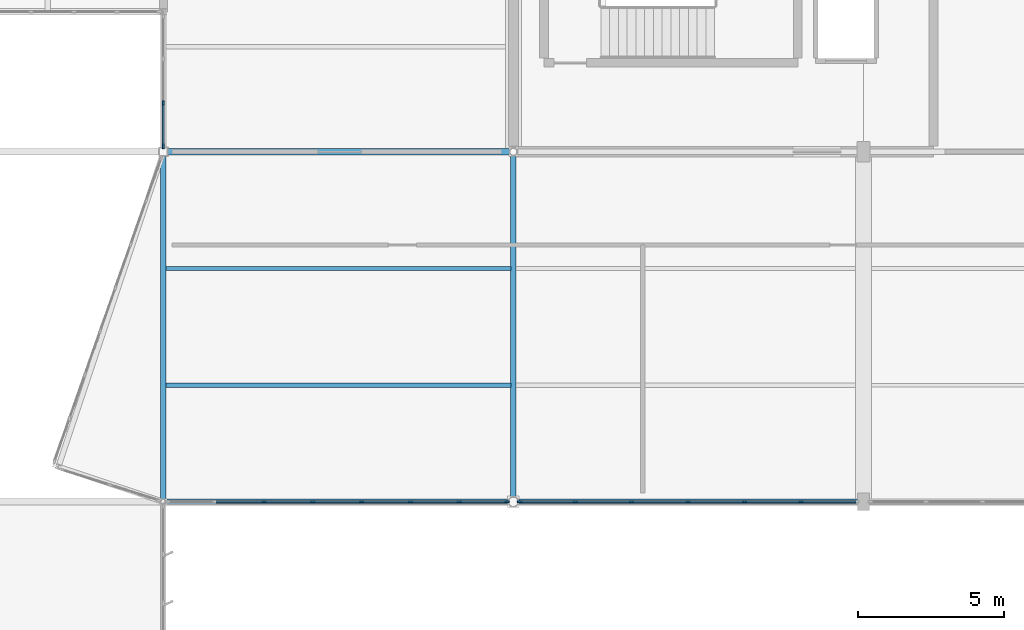
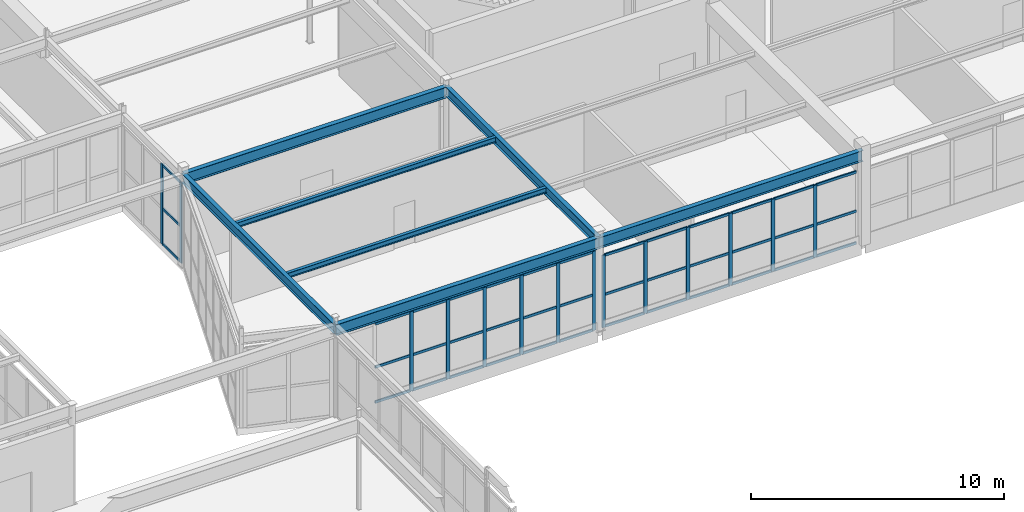
# One storey, part 101 of 186: 53 members, 7 beams, 3 elements without a shape of their own.
"""IFC4 building model written with IfcOpenShell, lengths in metres."""

from ifc_helpers import new_model, si_unit, direction, frame, origin, origin_2d, place, context, subcontext, project, spatial, rectangle, i_section, extrude, material, layer, layer_set, material_profile, profile_set, type_object, element, aggregate, save


model = new_model("IFC4")

# Units and contexts
model_context = context("Model", 3, precision=1e-05, world=origin(), true_north=direction((0.0, 1.0)))
body_context = subcontext(model_context, "Body", "Model", "MODEL_VIEW")
ifc_project = project(units=[si_unit("LENGTHUNIT", "METRE"), si_unit("AREAUNIT", "SQUARE_METRE"), si_unit("VOLUMEUNIT", "CUBIC_METRE"), si_unit("PLANEANGLEUNIT", "RADIAN"), si_unit("MASSUNIT", "GRAM", prefix="KILO")], contexts=[model_context])

# Site, building, storey
site_placement = place(None, origin())
site = spatial("IfcSite", under=ifc_project, at=site_placement, CompositionType="ELEMENT")
building_placement = place(site_placement, origin())
building = spatial("IfcBuilding", under=site, at=building_placement, Name="Tarnwether General Hospital", CompositionType="ELEMENT")
storey_placement = place(building_placement, frame((0.0, 0.0, 9.60009765625)))
storey = spatial("IfcBuildingStorey", under=building, at=storey_placement, Name="L02", CompositionType="ELEMENT", Elevation=9.60009765625)

# Beams
ifc_material_1 = material(Name="Steel Grade 350 (350 MPa)", Category="steel")
ifc_material_profile_1 = material_profile(ifc_material_1, i_section(OverallWidth=0.208984375, OverallDepth=0.532958984375, WebThickness=0.01025390625, FlangeThickness=0.015625, at=origin_2d()), Name="530UB92.4")
ifc_profile_set_1 = profile_set([ifc_material_profile_1], Name="Steel Grade 350 (350 MPa)")
beam_type_1 = type_object("IfcBeamType", Name="BM-G06", PredefinedType="BEAM", material=ifc_profile_set_1)
beam_1_placement = place(storey_placement, frame((144.0, 81.60009765625, 4.178466796875), z_axis=(1.0, 0.0, 0.0), x_axis=(0.0, 1.0, 0.0)))
element("IfcBeam", 1, at=beam_1_placement, inside=storey, type_object=beam_type_1, Name="Primary Girder BMG-L02-14400_8160-15600_8160-1579", PredefinedType="BEAM", context=body_context, shape_type="SweptSolid", body=[
    extrude(i_section(OverallWidth=0.208984375, OverallDepth=0.532958984375, WebThickness=0.01025390625, FlangeThickness=0.015625, at=origin_2d()), origin(), (0.0, 0.0, 1.0), 12.0),
])
ifc_material_2 = material(Name="Steel Grade 350 (350 MPa)", Category="steel")
ifc_material_profile_2 = material_profile(ifc_material_2, i_section(OverallWidth=0.208984375, OverallDepth=0.528076171875, WebThickness=0.009521484375, FlangeThickness=0.01318359375, at=origin_2d()), Name="530UB82.0")
ifc_profile_set_2 = profile_set([ifc_material_profile_2], Name="Steel Grade 350 (350 MPa)")
beam_type_2 = type_object("IfcBeamType", Name="BM-G07", PredefinedType="BEAM", material=ifc_profile_set_2)
for number, where, z_axis, x_axis, name in (
    (2, (144.0, 93.60009765625, 4.180908203125), (1.0, 0.0, 0.0), (0.0, 1.0, 0.0), "Primary Girder BMG-L02-14400_9360-15600_9360-1581"),
    (3, (156.0, 81.60009765625, 4.180908203125), (1.0, 0.0, 0.0), (0.0, 1.0, 0.0), "Primary Girder BMG-L02-15600_8160-16800_8160-1597"),
):
    element("IfcBeam", number, at=place(storey_placement, frame(where, z_axis=z_axis, x_axis=x_axis)), inside=storey, type_object=beam_type_2, Name=name, PredefinedType="BEAM", context=body_context, shape_type="SweptSolid", body=[
        extrude(i_section(OverallWidth=0.208984375, OverallDepth=0.528076171875, WebThickness=0.009521484375, FlangeThickness=0.01318359375, at=origin_2d()), origin(), (0.0, 0.0, 1.0), 12.0),
    ])
ifc_material_3 = material(Name="Steel Grade 350 (350 MPa)", Category="steel")
ifc_material_profile_3 = material_profile(ifc_material_3, i_section(OverallWidth=0.18994140625, OverallDepth=0.45703125, WebThickness=0.009033203125, FlangeThickness=0.014404296875, at=origin_2d()), Name="460UB74.6")
ifc_profile_set_3 = profile_set([ifc_material_profile_3], Name="Steel Grade 350 (350 MPa)")
beam_type_3 = type_object("IfcBeamType", Name="BM-G09", PredefinedType="BEAM", material=ifc_profile_set_3)
beam_2_placement = place(storey_placement, frame((144.0, 81.60009765625, 4.21630859375), z_axis=(0.0, 1.0, 0.0), x_axis=(-1.0, 0.0, 0.0)))
element("IfcBeam", 4, at=beam_2_placement, inside=storey, type_object=beam_type_3, Name="Primary Girder BMG-L02-14400_8160-14400_9360-1580", PredefinedType="BEAM", context=body_context, shape_type="SweptSolid", body=[
    extrude(i_section(OverallWidth=0.18994140625, OverallDepth=0.45703125, WebThickness=0.009033203125, FlangeThickness=0.014404296875, at=origin_2d()), origin(), (0.0, 0.0, 1.0), 12.0),
])
ifc_material_4 = material(Name="Steel Grade 350 (350 MPa)", Category="steel")
ifc_material_profile_4 = material_profile(ifc_material_4, i_section(OverallWidth=0.18994140625, OverallDepth=0.4541015625, WebThickness=0.008544921875, FlangeThickness=0.0126953125, at=origin_2d()), Name="460UB67.1")
ifc_profile_set_4 = profile_set([ifc_material_profile_4], Name="Steel Grade 350 (350 MPa)")
beam_type_4 = type_object("IfcBeamType", Name="BM-G10", PredefinedType="BEAM", material=ifc_profile_set_4)
beam_3_placement = place(storey_placement, frame((156.0, 81.60009765625, 4.218017578125), z_axis=(0.0, 1.0, 0.0), x_axis=(-1.0, 0.0, 0.0)))
element("IfcBeam", 5, at=beam_3_placement, inside=storey, type_object=beam_type_4, Name="Primary Girder BMG-L02-15600_8160-15600_9360-1598", PredefinedType="BEAM", context=body_context, shape_type="SweptSolid", body=[
    extrude(i_section(OverallWidth=0.18994140625, OverallDepth=0.4541015625, WebThickness=0.008544921875, FlangeThickness=0.0126953125, at=origin_2d()), origin(), (0.0, 0.0, 1.0), 12.0),
])
ifc_material_5 = material(Name="Steel Grade 350 (350 MPa)", Category="steel")
ifc_material_profile_5 = material_profile(ifc_material_5, i_section(OverallWidth=0.14599609375, OverallDepth=0.256103515625, WebThickness=0.00634765625, FlangeThickness=0.010986328125, at=origin_2d()), Name="250UB37.3")
ifc_profile_set_5 = profile_set([ifc_material_profile_5], Name="Steel Grade 350 (350 MPa)")
beam_type_5 = type_object("IfcBeamType", Name="BM-J09", PredefinedType="JOIST", material=ifc_profile_set_5)
beam_4_placement = place(storey_placement, frame((144.089111328125, 85.60009765625, 4.31689453125), z_axis=(1.0, 0.0, 0.0), x_axis=(0.0, 1.0, 0.0)))
element("IfcBeam", 6, at=beam_4_placement, inside=storey, type_object=beam_type_5, Name="Composite Floor Joist BMG-L02-14409_8560-15591_8560-1714", PredefinedType="JOIST", context=body_context, shape_type="SweptSolid", body=[
    extrude(i_section(OverallWidth=0.14599609375, OverallDepth=0.256103515625, WebThickness=0.00634765625, FlangeThickness=0.010986328125, at=origin_2d()), origin(), (0.0, 0.0, 1.0), 11.82177734375),
])
ifc_material_6 = material(Name="Steel Grade 350 (350 MPa)", Category="steel")
ifc_material_profile_6 = material_profile(ifc_material_6, i_section(OverallWidth=0.14599609375, OverallDepth=0.251953125, WebThickness=0.006103515625, FlangeThickness=0.008544921875, at=origin_2d()), Name="250UB31.4")
ifc_profile_set_6 = profile_set([ifc_material_profile_6], Name="Steel Grade 350 (350 MPa)")
beam_type_6 = type_object("IfcBeamType", Name="BM-J10", PredefinedType="JOIST", material=ifc_profile_set_6)
beam_5_placement = place(storey_placement, frame((144.089111328125, 89.60009765625, 4.31884765625), z_axis=(1.0, 0.0, 0.0), x_axis=(0.0, 1.0, 0.0)))
element("IfcBeam", 7, at=beam_5_placement, inside=storey, type_object=beam_type_6, Name="Composite Floor Joist BMG-L02-14409_8960-15591_8960-1715", PredefinedType="JOIST", context=body_context, shape_type="SweptSolid", body=[
    extrude(i_section(OverallWidth=0.14599609375, OverallDepth=0.251953125, WebThickness=0.006103515625, FlangeThickness=0.008544921875, at=origin_2d()), origin(), (0.0, 0.0, 1.0), 11.82177734375),
])

# Curtain wall, members
ifc_material_7 = material(Name="Anodised aluminium", Category="aluminium")
ifc_layer_1 = layer(ifc_material_7, 0.159912109375)
ifc_layer_set_1 = layer_set([ifc_layer_1], Name="Anodised aluminium")
curtain_wall_type_1 = type_object("IfcCurtainWallType", Name="CW-15", PredefinedType="NOTDEFINED", material=ifc_layer_set_1)
curtain_wall_1_placement = place(storey_placement, origin())
curtain_wall_1 = element("IfcCurtainWall", 8, at=curtain_wall_1_placement, inside=storey, type_object=curtain_wall_type_1, Name="Curtain Wall CWG-L02-1440_938-0447", PredefinedType="NOTDEFINED")
ifc_material_8 = material(Name="Anodised aluminium", Category="aluminium")
ifc_material_profile_7 = material_profile(ifc_material_8, rectangle(XDim=0.06005859375, YDim=0.159912109375, at=origin_2d()), Name="ALU-MUL-60x160")
ifc_profile_set_7 = profile_set([ifc_material_profile_7], Name="Anodised aluminium")
member_type_1 = type_object("IfcMemberType", Name="CW-ML1", PredefinedType="MULLION", material=ifc_profile_set_7)
member_1_placement = place(storey_placement, frame((144.0, 93.7880859375, 0.0), z_axis=(0.0, 0.0, 1.0), x_axis=(-1.0, 0.0, 0.0)))
member_1 = element("IfcMember", 9, at=member_1_placement, type_object=member_type_1, Name="CW-15 mullion 1", PredefinedType="MULLION", context=body_context, shape_type="SweptSolid", body=[
    extrude(rectangle(XDim=0.06005859375, YDim=0.159912109375, at=origin_2d()), origin(), (0.0, 0.0, 1.0), 3.86279296875),
])
member_2_placement = place(storey_placement, frame((144.0, 95.267578125, 0.0), z_axis=(0.0, 0.0, 1.0), x_axis=(-1.0, 0.0, 0.0)))
member_2 = element("IfcMember", 10, at=member_2_placement, type_object=member_type_1, Name="CW-15 mullion 2", PredefinedType="MULLION", context=body_context, shape_type="SweptSolid", body=[
    extrude(rectangle(XDim=0.06005859375, YDim=0.159912109375, at=origin_2d()), origin(), (0.0, 0.0, 1.0), 3.86279296875),
])

ifc_material_9 = material(Name="Anodised aluminium", Category="aluminium")
ifc_layer_2 = layer(ifc_material_9, 0.159912109375)
ifc_layer_set_2 = layer_set([ifc_layer_2], Name="Anodised aluminium")
curtain_wall_type_2 = type_object("IfcCurtainWallType", Name="CW-17", PredefinedType="NOTDEFINED", material=ifc_layer_set_2)
curtain_wall_2_placement = place(storey_placement, origin())
curtain_wall_2 = element("IfcCurtainWall", 11, at=curtain_wall_2_placement, inside=storey, type_object=curtain_wall_type_2, Name="Curtain Wall CWG-L02-1678_816-0468", PredefinedType="NOTDEFINED")
member_3_placement = place(storey_placement, frame((165.857666015625, 81.60009765625, 0.0), z_axis=(0.0, 0.0, 1.0), x_axis=(0.0, -1.0, 0.0)))
member_3 = element("IfcMember", 12, at=member_3_placement, type_object=member_type_1, Name="CW-17 mullion 2", PredefinedType="MULLION", context=body_context, shape_type="SweptSolid", body=[
    extrude(rectangle(XDim=0.06005859375, YDim=0.159912109375, at=origin_2d()), origin(), (0.0, 0.0, 1.0), 3.47998046875),
])
member_4_placement = place(storey_placement, frame((163.92333984375, 81.60009765625, 0.0), z_axis=(0.0, 0.0, 1.0), x_axis=(0.0, -1.0, 0.0)))
member_4 = element("IfcMember", 13, at=member_4_placement, type_object=member_type_1, Name="CW-17 mullion 3", PredefinedType="MULLION", context=body_context, shape_type="SweptSolid", body=[
    extrude(rectangle(XDim=0.06005859375, YDim=0.159912109375, at=origin_2d()), origin(), (0.0, 0.0, 1.0), 3.47998046875),
])
member_5_placement = place(storey_placement, frame((161.989013671875, 81.60009765625, 0.0), z_axis=(0.0, 0.0, 1.0), x_axis=(0.0, -1.0, 0.0)))
member_5 = element("IfcMember", 14, at=member_5_placement, type_object=member_type_1, Name="CW-17 mullion 4", PredefinedType="MULLION", context=body_context, shape_type="SweptSolid", body=[
    extrude(rectangle(XDim=0.06005859375, YDim=0.159912109375, at=origin_2d()), origin(), (0.0, 0.0, 1.0), 3.47998046875),
])
member_6_placement = place(storey_placement, frame((160.0546875, 81.60009765625, 0.0), z_axis=(0.0, 0.0, 1.0), x_axis=(0.0, -1.0, 0.0)))
member_6 = element("IfcMember", 15, at=member_6_placement, type_object=member_type_1, Name="CW-17 mullion 5", PredefinedType="MULLION", context=body_context, shape_type="SweptSolid", body=[
    extrude(rectangle(XDim=0.06005859375, YDim=0.159912109375, at=origin_2d()), origin(), (0.0, 0.0, 1.0), 3.47998046875),
])
member_7_placement = place(storey_placement, frame((158.120361328125, 81.60009765625, 0.0), z_axis=(0.0, 0.0, 1.0), x_axis=(0.0, -1.0, 0.0)))
member_7 = element("IfcMember", 16, at=member_7_placement, type_object=member_type_1, Name="CW-17 mullion 6", PredefinedType="MULLION", context=body_context, shape_type="SweptSolid", body=[
    extrude(rectangle(XDim=0.06005859375, YDim=0.159912109375, at=origin_2d()), origin(), (0.0, 0.0, 1.0), 3.47998046875),
])
member_8_placement = place(storey_placement, frame((156.216064453125, 81.60009765625, 0.0), z_axis=(0.0, 0.0, 1.0), x_axis=(0.0, -1.0, 0.0)))
member_8 = element("IfcMember", 17, at=member_8_placement, type_object=member_type_1, Name="CW-17 mullion 7", PredefinedType="MULLION", context=body_context, shape_type="SweptSolid", body=[
    extrude(rectangle(XDim=0.06005859375, YDim=0.159912109375, at=origin_2d()), origin(), (0.0, 0.0, 1.0), 3.47998046875),
])

curtain_wall_3_placement = place(storey_placement, origin())
curtain_wall_3 = element("IfcCurtainWall", 18, at=curtain_wall_3_placement, inside=storey, type_object=curtain_wall_type_2, Name="Curtain Wall CWG-L02-1558_816-0469", PredefinedType="NOTDEFINED")
member_9_placement = place(storey_placement, frame((155.783935546875, 81.60009765625, 0.0), z_axis=(0.0, 0.0, 1.0), x_axis=(0.0, -1.0, 0.0)))
member_9 = element("IfcMember", 19, at=member_9_placement, type_object=member_type_1, Name="CW-17 mullion 1", PredefinedType="MULLION", context=body_context, shape_type="SweptSolid", body=[
    extrude(rectangle(XDim=0.06005859375, YDim=0.159912109375, at=origin_2d()), origin(), (0.0, 0.0, 1.0), 3.827880859375),
])
member_10_placement = place(storey_placement, frame((154.141357421875, 81.60009765625, 0.0), z_axis=(0.0, 0.0, 1.0), x_axis=(0.0, -1.0, 0.0)))
member_10 = element("IfcMember", 20, at=member_10_placement, type_object=member_type_1, Name="CW-17 mullion 2", PredefinedType="MULLION", context=body_context, shape_type="SweptSolid", body=[
    extrude(rectangle(XDim=0.06005859375, YDim=0.159912109375, at=origin_2d()), origin(), (0.0, 0.0, 1.0), 3.827880859375),
])
member_11_placement = place(storey_placement, frame((152.468505859375, 81.60009765625, 0.0), z_axis=(0.0, 0.0, 1.0), x_axis=(0.0, -1.0, 0.0)))
member_11 = element("IfcMember", 21, at=member_11_placement, type_object=member_type_1, Name="CW-17 mullion 3", PredefinedType="MULLION", context=body_context, shape_type="SweptSolid", body=[
    extrude(rectangle(XDim=0.06005859375, YDim=0.159912109375, at=origin_2d()), origin(), (0.0, 0.0, 1.0), 3.827880859375),
])
member_12_placement = place(storey_placement, frame((150.7958984375, 81.60009765625, 0.0), z_axis=(0.0, 0.0, 1.0), x_axis=(0.0, -1.0, 0.0)))
member_12 = element("IfcMember", 22, at=member_12_placement, type_object=member_type_1, Name="CW-17 mullion 4", PredefinedType="MULLION", context=body_context, shape_type="SweptSolid", body=[
    extrude(rectangle(XDim=0.06005859375, YDim=0.159912109375, at=origin_2d()), origin(), (0.0, 0.0, 1.0), 3.827880859375),
])
member_13_placement = place(storey_placement, frame((149.123046875, 81.60009765625, 0.0), z_axis=(0.0, 0.0, 1.0), x_axis=(0.0, -1.0, 0.0)))
member_13 = element("IfcMember", 23, at=member_13_placement, type_object=member_type_1, Name="CW-17 mullion 5", PredefinedType="MULLION", context=body_context, shape_type="SweptSolid", body=[
    extrude(rectangle(XDim=0.06005859375, YDim=0.159912109375, at=origin_2d()), origin(), (0.0, 0.0, 1.0), 3.827880859375),
])
member_14_placement = place(storey_placement, frame((147.450439453125, 81.60009765625, 0.0), z_axis=(0.0, 0.0, 1.0), x_axis=(0.0, -1.0, 0.0)))
member_14 = element("IfcMember", 24, at=member_14_placement, type_object=member_type_1, Name="CW-17 mullion 6", PredefinedType="MULLION", context=body_context, shape_type="SweptSolid", body=[
    extrude(rectangle(XDim=0.06005859375, YDim=0.159912109375, at=origin_2d()), origin(), (0.0, 0.0, 1.0), 3.827880859375),
])

# Member
ifc_material_10 = material(Name="Anodised aluminium", Category="aluminium")
ifc_material_profile_8 = material_profile(ifc_material_10, rectangle(XDim=0.06005859375, YDim=0.1201171875, at=origin_2d()), Name="ALU-TRN-60x120")
ifc_profile_set_8 = profile_set([ifc_material_profile_8], Name="Anodised aluminium")
member_type_2 = type_object("IfcMemberType", Name="CW-TR1", PredefinedType="USERDEFINED", material=ifc_profile_set_8)
member_15_placement = place(storey_placement, frame((144.0, 93.818115234375, 0.02978515625), z_axis=(0.0, 1.0, 0.0), x_axis=(-1.0, 0.0, 0.0)))
member_15 = element("IfcMember", 25, at=member_15_placement, type_object=member_type_2, Name="CW-15 transom 1.1", ObjectType="TRANSOM", PredefinedType="USERDEFINED", context=body_context, shape_type="SweptSolid", body=[
    extrude(rectangle(XDim=0.06005859375, YDim=0.1201171875, at=origin_2d()), origin(), (0.0, 0.0, 1.0), 1.41943359375),
])

member_16_placement = place(storey_placement, frame((144.0, 93.818115234375, 1.73828125), z_axis=(0.0, 1.0, 0.0), x_axis=(-1.0, 0.0, 0.0)))
member_16 = element("IfcMember", 26, at=member_16_placement, type_object=member_type_2, Name="CW-15 transom 1.2", ObjectType="TRANSOM", PredefinedType="USERDEFINED", context=body_context, shape_type="SweptSolid", body=[
    extrude(rectangle(XDim=0.06005859375, YDim=0.1201171875, at=origin_2d()), origin(), (0.0, 0.0, 1.0), 1.41943359375),
])

member_17_placement = place(storey_placement, frame((144.0, 93.818115234375, 3.8330078125), z_axis=(0.0, 1.0, 0.0), x_axis=(-1.0, 0.0, 0.0)))
member_17 = element("IfcMember", 27, at=member_17_placement, type_object=member_type_2, Name="CW-15 transom 1.3", ObjectType="TRANSOM", PredefinedType="USERDEFINED", context=body_context, shape_type="SweptSolid", body=[
    extrude(rectangle(XDim=0.06005859375, YDim=0.1201171875, at=origin_2d()), origin(), (0.0, 0.0, 1.0), 1.41943359375),
])

aggregate(curtain_wall_1, [member_1, member_2, member_15, member_16, member_17])

member_18_placement = place(storey_placement, frame((167.73193359375, 81.60009765625, 0.02978515625), z_axis=(-1.0, 0.0, 0.0), x_axis=(0.0, -1.0, 0.0)))
member_18 = element("IfcMember", 28, at=member_18_placement, type_object=member_type_2, Name="CW-17 transom 1.1", ObjectType="TRANSOM", PredefinedType="USERDEFINED", context=body_context, shape_type="SweptSolid", body=[
    extrude(rectangle(XDim=0.06005859375, YDim=0.1201171875, at=origin_2d()), origin(), (0.0, 0.0, 1.0), 1.84423828125),
])

member_19_placement = place(storey_placement, frame((167.73193359375, 81.60009765625, 1.56591796875), z_axis=(-1.0, 0.0, 0.0), x_axis=(0.0, -1.0, 0.0)))
member_19 = element("IfcMember", 29, at=member_19_placement, type_object=member_type_2, Name="CW-17 transom 1.2", ObjectType="TRANSOM", PredefinedType="USERDEFINED", context=body_context, shape_type="SweptSolid", body=[
    extrude(rectangle(XDim=0.06005859375, YDim=0.1201171875, at=origin_2d()), origin(), (0.0, 0.0, 1.0), 1.84423828125),
])

member_20_placement = place(storey_placement, frame((167.73193359375, 81.60009765625, 3.449951171875), z_axis=(-1.0, 0.0, 0.0), x_axis=(0.0, -1.0, 0.0)))
member_20 = element("IfcMember", 30, at=member_20_placement, type_object=member_type_2, Name="CW-17 transom 1.3", ObjectType="TRANSOM", PredefinedType="USERDEFINED", context=body_context, shape_type="SweptSolid", body=[
    extrude(rectangle(XDim=0.06005859375, YDim=0.1201171875, at=origin_2d()), origin(), (0.0, 0.0, 1.0), 1.84423828125),
])

member_21_placement = place(storey_placement, frame((165.82763671875, 81.60009765625, 0.02978515625), z_axis=(-1.0, 0.0, 0.0), x_axis=(0.0, -1.0, 0.0)))
member_21 = element("IfcMember", 31, at=member_21_placement, type_object=member_type_2, Name="CW-17 transom 2.1", ObjectType="TRANSOM", PredefinedType="USERDEFINED", context=body_context, shape_type="SweptSolid", body=[
    extrude(rectangle(XDim=0.06005859375, YDim=0.1201171875, at=origin_2d()), origin(), (0.0, 0.0, 1.0), 1.874267578125),
])

member_22_placement = place(storey_placement, frame((165.82763671875, 81.60009765625, 1.56591796875), z_axis=(-1.0, 0.0, 0.0), x_axis=(0.0, -1.0, 0.0)))
member_22 = element("IfcMember", 32, at=member_22_placement, type_object=member_type_2, Name="CW-17 transom 2.2", ObjectType="TRANSOM", PredefinedType="USERDEFINED", context=body_context, shape_type="SweptSolid", body=[
    extrude(rectangle(XDim=0.06005859375, YDim=0.1201171875, at=origin_2d()), origin(), (0.0, 0.0, 1.0), 1.874267578125),
])

member_23_placement = place(storey_placement, frame((165.82763671875, 81.60009765625, 3.449951171875), z_axis=(-1.0, 0.0, 0.0), x_axis=(0.0, -1.0, 0.0)))
member_23 = element("IfcMember", 33, at=member_23_placement, type_object=member_type_2, Name="CW-17 transom 2.3", ObjectType="TRANSOM", PredefinedType="USERDEFINED", context=body_context, shape_type="SweptSolid", body=[
    extrude(rectangle(XDim=0.06005859375, YDim=0.1201171875, at=origin_2d()), origin(), (0.0, 0.0, 1.0), 1.874267578125),
])

member_24_placement = place(storey_placement, frame((163.893310546875, 81.60009765625, 0.02978515625), z_axis=(-1.0, 0.0, 0.0), x_axis=(0.0, -1.0, 0.0)))
member_24 = element("IfcMember", 34, at=member_24_placement, type_object=member_type_2, Name="CW-17 transom 3.1", ObjectType="TRANSOM", PredefinedType="USERDEFINED", context=body_context, shape_type="SweptSolid", body=[
    extrude(rectangle(XDim=0.06005859375, YDim=0.1201171875, at=origin_2d()), origin(), (0.0, 0.0, 1.0), 1.874267578125),
])

member_25_placement = place(storey_placement, frame((163.893310546875, 81.60009765625, 1.56591796875), z_axis=(-1.0, 0.0, 0.0), x_axis=(0.0, -1.0, 0.0)))
member_25 = element("IfcMember", 35, at=member_25_placement, type_object=member_type_2, Name="CW-17 transom 3.2", ObjectType="TRANSOM", PredefinedType="USERDEFINED", context=body_context, shape_type="SweptSolid", body=[
    extrude(rectangle(XDim=0.06005859375, YDim=0.1201171875, at=origin_2d()), origin(), (0.0, 0.0, 1.0), 1.874267578125),
])

member_26_placement = place(storey_placement, frame((163.893310546875, 81.60009765625, 3.449951171875), z_axis=(-1.0, 0.0, 0.0), x_axis=(0.0, -1.0, 0.0)))
member_26 = element("IfcMember", 36, at=member_26_placement, type_object=member_type_2, Name="CW-17 transom 3.3", ObjectType="TRANSOM", PredefinedType="USERDEFINED", context=body_context, shape_type="SweptSolid", body=[
    extrude(rectangle(XDim=0.06005859375, YDim=0.1201171875, at=origin_2d()), origin(), (0.0, 0.0, 1.0), 1.874267578125),
])

member_27_placement = place(storey_placement, frame((161.958984375, 81.60009765625, 0.02978515625), z_axis=(-1.0, 0.0, 0.0), x_axis=(0.0, -1.0, 0.0)))
member_27 = element("IfcMember", 37, at=member_27_placement, type_object=member_type_2, Name="CW-17 transom 4.1", ObjectType="TRANSOM", PredefinedType="USERDEFINED", context=body_context, shape_type="SweptSolid", body=[
    extrude(rectangle(XDim=0.06005859375, YDim=0.1201171875, at=origin_2d()), origin(), (0.0, 0.0, 1.0), 1.874267578125),
])

member_28_placement = place(storey_placement, frame((161.958984375, 81.60009765625, 1.56591796875), z_axis=(-1.0, 0.0, 0.0), x_axis=(0.0, -1.0, 0.0)))
member_28 = element("IfcMember", 38, at=member_28_placement, type_object=member_type_2, Name="CW-17 transom 4.2", ObjectType="TRANSOM", PredefinedType="USERDEFINED", context=body_context, shape_type="SweptSolid", body=[
    extrude(rectangle(XDim=0.06005859375, YDim=0.1201171875, at=origin_2d()), origin(), (0.0, 0.0, 1.0), 1.874267578125),
])

member_29_placement = place(storey_placement, frame((161.958984375, 81.60009765625, 3.449951171875), z_axis=(-1.0, 0.0, 0.0), x_axis=(0.0, -1.0, 0.0)))
member_29 = element("IfcMember", 39, at=member_29_placement, type_object=member_type_2, Name="CW-17 transom 4.3", ObjectType="TRANSOM", PredefinedType="USERDEFINED", context=body_context, shape_type="SweptSolid", body=[
    extrude(rectangle(XDim=0.06005859375, YDim=0.1201171875, at=origin_2d()), origin(), (0.0, 0.0, 1.0), 1.874267578125),
])

member_30_placement = place(storey_placement, frame((160.024658203125, 81.60009765625, 0.02978515625), z_axis=(-1.0, 0.0, 0.0), x_axis=(0.0, -1.0, 0.0)))
member_30 = element("IfcMember", 40, at=member_30_placement, type_object=member_type_2, Name="CW-17 transom 5.1", ObjectType="TRANSOM", PredefinedType="USERDEFINED", context=body_context, shape_type="SweptSolid", body=[
    extrude(rectangle(XDim=0.06005859375, YDim=0.1201171875, at=origin_2d()), origin(), (0.0, 0.0, 1.0), 1.874267578125),
])

member_31_placement = place(storey_placement, frame((160.024658203125, 81.60009765625, 1.56591796875), z_axis=(-1.0, 0.0, 0.0), x_axis=(0.0, -1.0, 0.0)))
member_31 = element("IfcMember", 41, at=member_31_placement, type_object=member_type_2, Name="CW-17 transom 5.2", ObjectType="TRANSOM", PredefinedType="USERDEFINED", context=body_context, shape_type="SweptSolid", body=[
    extrude(rectangle(XDim=0.06005859375, YDim=0.1201171875, at=origin_2d()), origin(), (0.0, 0.0, 1.0), 1.874267578125),
])

member_32_placement = place(storey_placement, frame((160.024658203125, 81.60009765625, 3.449951171875), z_axis=(-1.0, 0.0, 0.0), x_axis=(0.0, -1.0, 0.0)))
member_32 = element("IfcMember", 42, at=member_32_placement, type_object=member_type_2, Name="CW-17 transom 5.3", ObjectType="TRANSOM", PredefinedType="USERDEFINED", context=body_context, shape_type="SweptSolid", body=[
    extrude(rectangle(XDim=0.06005859375, YDim=0.1201171875, at=origin_2d()), origin(), (0.0, 0.0, 1.0), 1.874267578125),
])

member_33_placement = place(storey_placement, frame((158.09033203125, 81.60009765625, 0.02978515625), z_axis=(-1.0, 0.0, 0.0), x_axis=(0.0, -1.0, 0.0)))
member_33 = element("IfcMember", 43, at=member_33_placement, type_object=member_type_2, Name="CW-17 transom 6.1", ObjectType="TRANSOM", PredefinedType="USERDEFINED", context=body_context, shape_type="SweptSolid", body=[
    extrude(rectangle(XDim=0.06005859375, YDim=0.1201171875, at=origin_2d()), origin(), (0.0, 0.0, 1.0), 1.84423828125),
])

member_34_placement = place(storey_placement, frame((158.09033203125, 81.60009765625, 1.56591796875), z_axis=(-1.0, 0.0, 0.0), x_axis=(0.0, -1.0, 0.0)))
member_34 = element("IfcMember", 44, at=member_34_placement, type_object=member_type_2, Name="CW-17 transom 6.2", ObjectType="TRANSOM", PredefinedType="USERDEFINED", context=body_context, shape_type="SweptSolid", body=[
    extrude(rectangle(XDim=0.06005859375, YDim=0.1201171875, at=origin_2d()), origin(), (0.0, 0.0, 1.0), 1.84423828125),
])

member_35_placement = place(storey_placement, frame((158.09033203125, 81.60009765625, 3.449951171875), z_axis=(-1.0, 0.0, 0.0), x_axis=(0.0, -1.0, 0.0)))
member_35 = element("IfcMember", 45, at=member_35_placement, type_object=member_type_2, Name="CW-17 transom 6.3", ObjectType="TRANSOM", PredefinedType="USERDEFINED", context=body_context, shape_type="SweptSolid", body=[
    extrude(rectangle(XDim=0.06005859375, YDim=0.1201171875, at=origin_2d()), origin(), (0.0, 0.0, 1.0), 1.84423828125),
])

aggregate(curtain_wall_2, [member_3, member_4, member_5, member_6, member_7, member_8, member_18, member_19, member_20, member_21, member_22, member_23, member_24, member_25, member_26, member_27, member_28, member_29, member_30, member_31, member_32, member_33, member_34, member_35])

member_36_placement = place(storey_placement, frame((155.75390625, 81.60009765625, 0.02978515625), z_axis=(-1.0, 0.0, 0.0), x_axis=(0.0, -1.0, 0.0)))
member_36 = element("IfcMember", 46, at=member_36_placement, type_object=member_type_2, Name="CW-17 transom 1.1", ObjectType="TRANSOM", PredefinedType="USERDEFINED", context=body_context, shape_type="SweptSolid", body=[
    extrude(rectangle(XDim=0.06005859375, YDim=0.1201171875, at=origin_2d()), origin(), (0.0, 0.0, 1.0), 1.58251953125),
])

member_37_placement = place(storey_placement, frame((155.75390625, 81.60009765625, 1.722412109375), z_axis=(-1.0, 0.0, 0.0), x_axis=(0.0, -1.0, 0.0)))
member_37 = element("IfcMember", 47, at=member_37_placement, type_object=member_type_2, Name="CW-17 transom 1.2", ObjectType="TRANSOM", PredefinedType="USERDEFINED", context=body_context, shape_type="SweptSolid", body=[
    extrude(rectangle(XDim=0.06005859375, YDim=0.1201171875, at=origin_2d()), origin(), (0.0, 0.0, 1.0), 1.58251953125),
])

member_38_placement = place(storey_placement, frame((155.75390625, 81.60009765625, 3.7978515625), z_axis=(-1.0, 0.0, 0.0), x_axis=(0.0, -1.0, 0.0)))
member_38 = element("IfcMember", 48, at=member_38_placement, type_object=member_type_2, Name="CW-17 transom 1.3", ObjectType="TRANSOM", PredefinedType="USERDEFINED", context=body_context, shape_type="SweptSolid", body=[
    extrude(rectangle(XDim=0.06005859375, YDim=0.1201171875, at=origin_2d()), origin(), (0.0, 0.0, 1.0), 1.58251953125),
])

member_39_placement = place(storey_placement, frame((154.111328125, 81.60009765625, 0.02978515625), z_axis=(-1.0, 0.0, 0.0), x_axis=(0.0, -1.0, 0.0)))
member_39 = element("IfcMember", 49, at=member_39_placement, type_object=member_type_2, Name="CW-17 transom 2.1", ObjectType="TRANSOM", PredefinedType="USERDEFINED", context=body_context, shape_type="SweptSolid", body=[
    extrude(rectangle(XDim=0.06005859375, YDim=0.1201171875, at=origin_2d()), origin(), (0.0, 0.0, 1.0), 1.61279296875),
])

member_40_placement = place(storey_placement, frame((154.111328125, 81.60009765625, 1.722412109375), z_axis=(-1.0, 0.0, 0.0), x_axis=(0.0, -1.0, 0.0)))
member_40 = element("IfcMember", 50, at=member_40_placement, type_object=member_type_2, Name="CW-17 transom 2.2", ObjectType="TRANSOM", PredefinedType="USERDEFINED", context=body_context, shape_type="SweptSolid", body=[
    extrude(rectangle(XDim=0.06005859375, YDim=0.1201171875, at=origin_2d()), origin(), (0.0, 0.0, 1.0), 1.61279296875),
])

member_41_placement = place(storey_placement, frame((154.111328125, 81.60009765625, 3.7978515625), z_axis=(-1.0, 0.0, 0.0), x_axis=(0.0, -1.0, 0.0)))
member_41 = element("IfcMember", 51, at=member_41_placement, type_object=member_type_2, Name="CW-17 transom 2.3", ObjectType="TRANSOM", PredefinedType="USERDEFINED", context=body_context, shape_type="SweptSolid", body=[
    extrude(rectangle(XDim=0.06005859375, YDim=0.1201171875, at=origin_2d()), origin(), (0.0, 0.0, 1.0), 1.61279296875),
])

member_42_placement = place(storey_placement, frame((152.4384765625, 81.60009765625, 0.02978515625), z_axis=(-1.0, 0.0, 0.0), x_axis=(0.0, -1.0, 0.0)))
member_42 = element("IfcMember", 52, at=member_42_placement, type_object=member_type_2, Name="CW-17 transom 3.1", ObjectType="TRANSOM", PredefinedType="USERDEFINED", context=body_context, shape_type="SweptSolid", body=[
    extrude(rectangle(XDim=0.06005859375, YDim=0.1201171875, at=origin_2d()), origin(), (0.0, 0.0, 1.0), 1.612548828125),
])

member_43_placement = place(storey_placement, frame((152.4384765625, 81.60009765625, 1.722412109375), z_axis=(-1.0, 0.0, 0.0), x_axis=(0.0, -1.0, 0.0)))
member_43 = element("IfcMember", 53, at=member_43_placement, type_object=member_type_2, Name="CW-17 transom 3.2", ObjectType="TRANSOM", PredefinedType="USERDEFINED", context=body_context, shape_type="SweptSolid", body=[
    extrude(rectangle(XDim=0.06005859375, YDim=0.1201171875, at=origin_2d()), origin(), (0.0, 0.0, 1.0), 1.612548828125),
])

member_44_placement = place(storey_placement, frame((152.4384765625, 81.60009765625, 3.7978515625), z_axis=(-1.0, 0.0, 0.0), x_axis=(0.0, -1.0, 0.0)))
member_44 = element("IfcMember", 54, at=member_44_placement, type_object=member_type_2, Name="CW-17 transom 3.3", ObjectType="TRANSOM", PredefinedType="USERDEFINED", context=body_context, shape_type="SweptSolid", body=[
    extrude(rectangle(XDim=0.06005859375, YDim=0.1201171875, at=origin_2d()), origin(), (0.0, 0.0, 1.0), 1.612548828125),
])

member_45_placement = place(storey_placement, frame((150.765869140625, 81.60009765625, 0.02978515625), z_axis=(-1.0, 0.0, 0.0), x_axis=(0.0, -1.0, 0.0)))
member_45 = element("IfcMember", 55, at=member_45_placement, type_object=member_type_2, Name="CW-17 transom 4.1", ObjectType="TRANSOM", PredefinedType="USERDEFINED", context=body_context, shape_type="SweptSolid", body=[
    extrude(rectangle(XDim=0.06005859375, YDim=0.1201171875, at=origin_2d()), origin(), (0.0, 0.0, 1.0), 1.61279296875),
])

member_46_placement = place(storey_placement, frame((150.765869140625, 81.60009765625, 1.722412109375), z_axis=(-1.0, 0.0, 0.0), x_axis=(0.0, -1.0, 0.0)))
member_46 = element("IfcMember", 56, at=member_46_placement, type_object=member_type_2, Name="CW-17 transom 4.2", ObjectType="TRANSOM", PredefinedType="USERDEFINED", context=body_context, shape_type="SweptSolid", body=[
    extrude(rectangle(XDim=0.06005859375, YDim=0.1201171875, at=origin_2d()), origin(), (0.0, 0.0, 1.0), 1.61279296875),
])

member_47_placement = place(storey_placement, frame((150.765869140625, 81.60009765625, 3.7978515625), z_axis=(-1.0, 0.0, 0.0), x_axis=(0.0, -1.0, 0.0)))
member_47 = element("IfcMember", 57, at=member_47_placement, type_object=member_type_2, Name="CW-17 transom 4.3", ObjectType="TRANSOM", PredefinedType="USERDEFINED", context=body_context, shape_type="SweptSolid", body=[
    extrude(rectangle(XDim=0.06005859375, YDim=0.1201171875, at=origin_2d()), origin(), (0.0, 0.0, 1.0), 1.61279296875),
])

member_48_placement = place(storey_placement, frame((149.09326171875, 81.60009765625, 0.02978515625), z_axis=(-1.0, 0.0, 0.0), x_axis=(0.0, -1.0, 0.0)))
member_48 = element("IfcMember", 58, at=member_48_placement, type_object=member_type_2, Name="CW-17 transom 5.1", ObjectType="TRANSOM", PredefinedType="USERDEFINED", context=body_context, shape_type="SweptSolid", body=[
    extrude(rectangle(XDim=0.06005859375, YDim=0.1201171875, at=origin_2d()), origin(), (0.0, 0.0, 1.0), 1.61279296875),
])

member_49_placement = place(storey_placement, frame((149.09326171875, 81.60009765625, 1.722412109375), z_axis=(-1.0, 0.0, 0.0), x_axis=(0.0, -1.0, 0.0)))
member_49 = element("IfcMember", 59, at=member_49_placement, type_object=member_type_2, Name="CW-17 transom 5.2", ObjectType="TRANSOM", PredefinedType="USERDEFINED", context=body_context, shape_type="SweptSolid", body=[
    extrude(rectangle(XDim=0.06005859375, YDim=0.1201171875, at=origin_2d()), origin(), (0.0, 0.0, 1.0), 1.61279296875),
])

member_50_placement = place(storey_placement, frame((149.09326171875, 81.60009765625, 3.7978515625), z_axis=(-1.0, 0.0, 0.0), x_axis=(0.0, -1.0, 0.0)))
member_50 = element("IfcMember", 60, at=member_50_placement, type_object=member_type_2, Name="CW-17 transom 5.3", ObjectType="TRANSOM", PredefinedType="USERDEFINED", context=body_context, shape_type="SweptSolid", body=[
    extrude(rectangle(XDim=0.06005859375, YDim=0.1201171875, at=origin_2d()), origin(), (0.0, 0.0, 1.0), 1.61279296875),
])

member_51_placement = place(storey_placement, frame((147.42041015625, 81.60009765625, 0.02978515625), z_axis=(-1.0, 0.0, 0.0), x_axis=(0.0, -1.0, 0.0)))
member_51 = element("IfcMember", 61, at=member_51_placement, type_object=member_type_2, Name="CW-17 transom 6.1", ObjectType="TRANSOM", PredefinedType="USERDEFINED", context=body_context, shape_type="SweptSolid", body=[
    extrude(rectangle(XDim=0.06005859375, YDim=0.1201171875, at=origin_2d()), origin(), (0.0, 0.0, 1.0), 1.61279296875),
])

member_52_placement = place(storey_placement, frame((147.42041015625, 81.60009765625, 1.722412109375), z_axis=(-1.0, 0.0, 0.0), x_axis=(0.0, -1.0, 0.0)))
member_52 = element("IfcMember", 62, at=member_52_placement, type_object=member_type_2, Name="CW-17 transom 6.2", ObjectType="TRANSOM", PredefinedType="USERDEFINED", context=body_context, shape_type="SweptSolid", body=[
    extrude(rectangle(XDim=0.06005859375, YDim=0.1201171875, at=origin_2d()), origin(), (0.0, 0.0, 1.0), 1.61279296875),
])

member_53_placement = place(storey_placement, frame((147.42041015625, 81.60009765625, 3.7978515625), z_axis=(-1.0, 0.0, 0.0), x_axis=(0.0, -1.0, 0.0)))
member_53 = element("IfcMember", 63, at=member_53_placement, type_object=member_type_2, Name="CW-17 transom 6.3", ObjectType="TRANSOM", PredefinedType="USERDEFINED", context=body_context, shape_type="SweptSolid", body=[
    extrude(rectangle(XDim=0.06005859375, YDim=0.1201171875, at=origin_2d()), origin(), (0.0, 0.0, 1.0), 1.61279296875),
])

aggregate(curtain_wall_3, [member_9, member_10, member_11, member_12, member_13, member_14, member_36, member_37, member_38, member_39, member_40, member_41, member_42, member_43, member_44, member_45, member_46, member_47, member_48, member_49, member_50, member_51, member_52, member_53])

save(model, "model.ifc")
